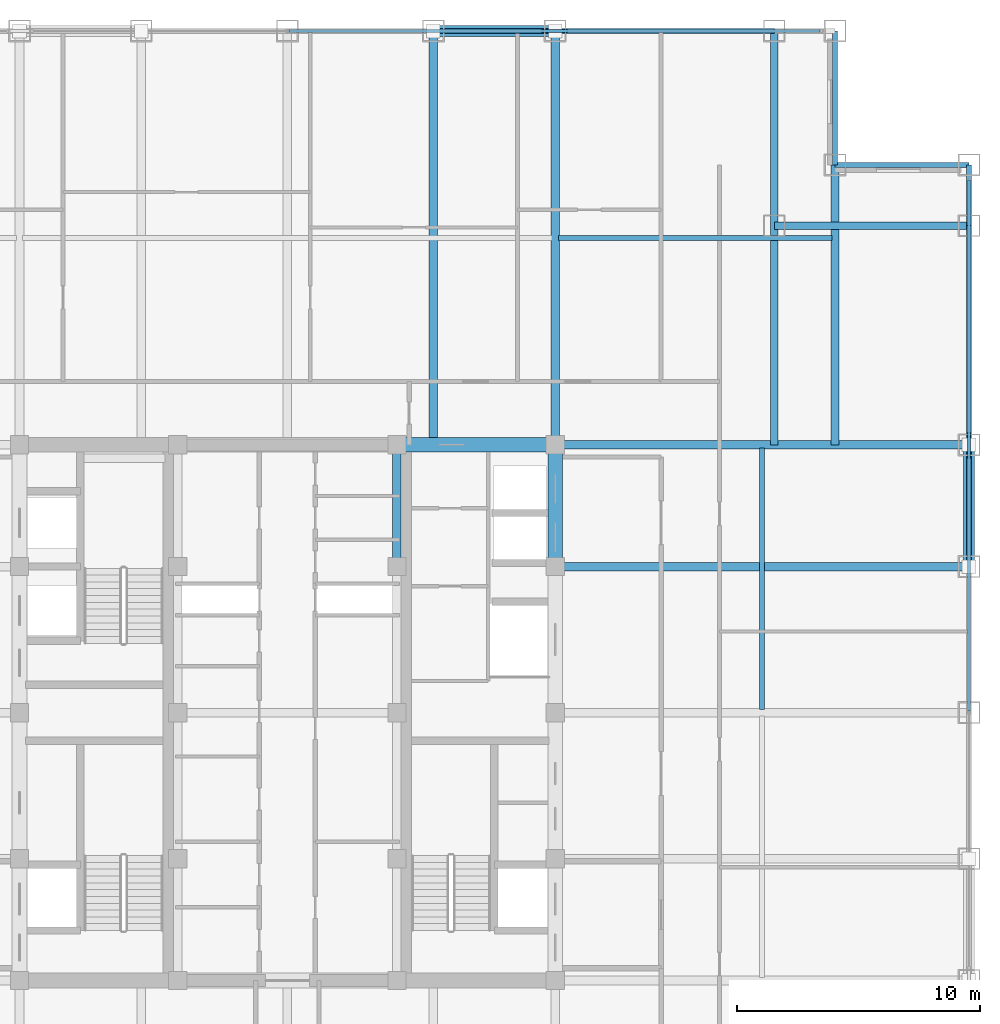
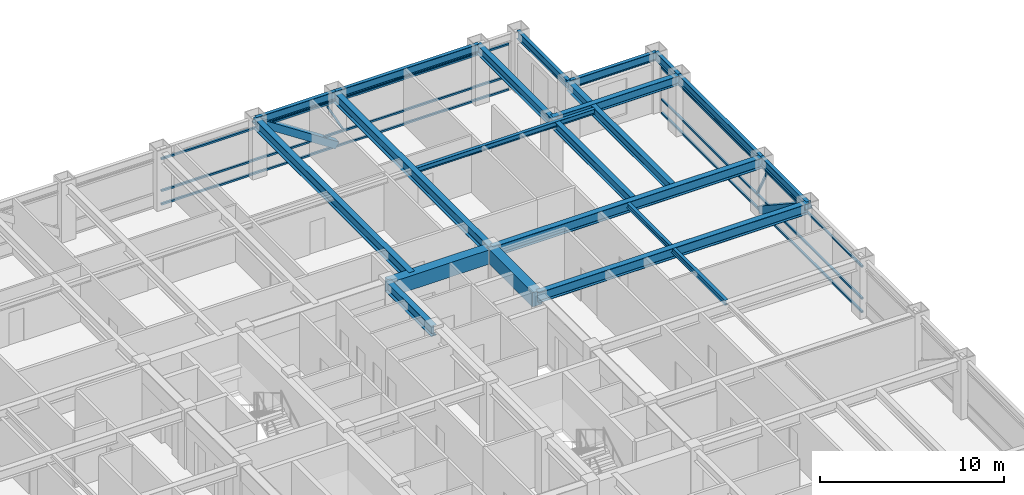
# One storey, part 15 of 22: 19 beams, 10 members, 2 elements without a shape of their own.
"""IFC4 building model written with IfcOpenShell, lengths in metres."""

from ifc_helpers import new_model, si_unit, direction, frame, origin, origin_2d, place, context, subcontext, project, spatial, rectangle, hollow_rectangle, i_section, extrude, source, transform, mapped, material, material_profile, profile_set, type_object, element, aggregate, save


model = new_model("IFC4")

# Units and contexts
model_context = context("Model", 3, precision=1e-05, world=origin(), true_north=direction((0.0, 1.0)))
body_context = subcontext(model_context, "Body", "Model", "MODEL_VIEW")
ifc_project = project(units=[si_unit("LENGTHUNIT", "METRE"), si_unit("AREAUNIT", "SQUARE_METRE"), si_unit("VOLUMEUNIT", "CUBIC_METRE"), si_unit("PLANEANGLEUNIT", "RADIAN"), si_unit("MASSUNIT", "GRAM", prefix="KILO")], contexts=[model_context])

# Site, building, storey
site_placement = place(None, origin())
site = spatial("IfcSite", under=ifc_project, at=site_placement, CompositionType="ELEMENT")
building_placement = place(site_placement, origin())
building = spatial("IfcBuilding", under=site, at=building_placement, Name="Khorayat Bourse Tower", CompositionType="ELEMENT")
storey_placement = place(building_placement, frame((0.0, 0.0, 305.5)))
storey = spatial("IfcBuildingStorey", under=building, at=storey_placement, Name="L72", CompositionType="ELEMENT", Elevation=305.5)

# Beams
ifc_material_1 = material(Name="Steel ASTM A992 Grade 50", Category="steel")
ifc_material_profile_1 = material_profile(ifc_material_1, i_section(OverallWidth=0.35498046875, OverallDepth=0.695068359375, WebThickness=0.015380859375, FlangeThickness=0.02490234375, FilletRadius=0.01806640625, at=origin_2d()), Name="W690X217")
ifc_profile_set_1 = profile_set([ifc_material_profile_1], Name="Steel ASTM A992 Grade 50")
beam_type_1 = type_object("IfcBeamType", Name="BM-GIRD-690", PredefinedType="BEAM", material=ifc_profile_set_1)
shared_shape_1 = source(origin(), body_context, "Body", "SweptSolid", [
    extrude(i_section(OverallWidth=0.35498046875, OverallDepth=0.695068359375, WebThickness=0.015380859375, FlangeThickness=0.02490234375, FilletRadius=0.01806640625, at=origin_2d()), origin(), (0.0, 0.0, 1.0), 5.0),
])
beam_1_placement = place(storey_placement, frame((4.5, 6.0, 3.4326171875), z_axis=(0.0, 1.0, 0.0), x_axis=(-1.0, 0.0, 0.0)))
element("IfcBeam", 1, at=beam_1_placement, inside=storey, type_object=beam_type_1, Name="L72 BM-GIRD-690 BM-L72-CRX-12", PredefinedType="BEAM", context=body_context, shape_type="MappedRepresentation", body=[
    mapped(shared_shape_1, transform((0.0, 0.0, 0.0), scale=1.0)),
])
ifc_material_profile_2 = material_profile(ifc_material_1, i_section(OverallWidth=0.324951171875, OverallDepth=0.615966796875, WebThickness=0.013916015625, FlangeThickness=0.021484375, FilletRadius=0.01611328125, at=origin_2d()), Name="W610X174")
ifc_profile_set_2 = profile_set([ifc_material_profile_2], Name="Steel ASTM A992 Grade 50")
beam_type_2 = type_object("IfcBeamType", Name="BM-GIRD-610", PredefinedType="BEAM", material=ifc_profile_set_2)
shared_shape_2 = source(origin(), body_context, "Body", "SweptSolid", [
    extrude(i_section(OverallWidth=0.324951171875, OverallDepth=0.615966796875, WebThickness=0.013916015625, FlangeThickness=0.021484375, FilletRadius=0.01611328125, at=origin_2d()), origin(), (0.0, 0.0, 1.0), 17.0),
])
beam_2_placement = place(storey_placement, frame((20.0, 11.0, 3.471923828125), z_axis=(0.0, 1.0, 0.0), x_axis=(-1.0, 0.0, 0.0)))
element("IfcBeam", 2, at=beam_2_placement, inside=storey, type_object=beam_type_2, Name="L72 BM-GIRD-610 BM-L72-CNRY-087", PredefinedType="BEAM", context=body_context, shape_type="MappedRepresentation", body=[
    mapped(shared_shape_2, transform((0.0, 0.0, 0.0), scale=1.0)),
])
ifc_material_2 = material(Name="Concrete C60/75", Category="concrete")
ifc_material_profile_3 = material_profile(ifc_material_2, rectangle(XDim=0.60009765625, YDim=0.949951171875, at=origin_2d()), Name="RC 600x950")
ifc_profile_set_3 = profile_set([ifc_material_profile_3], Name="Concrete C60/75")
beam_type_3 = type_object("IfcBeamType", Name="BM-COUP-950", PredefinedType="BEAM", material=ifc_profile_set_3)
shared_shape_3 = source(origin(), body_context, "Body", "SweptSolid", [
    extrude(rectangle(XDim=0.60009765625, YDim=0.949951171875, at=origin_2d()), origin(), (0.0, 0.0, 1.0), 5.0),
])
beam_3_placement = place(storey_placement, frame((11.0, 6.0, 3.304931640625), z_axis=(0.0, 1.0, 0.0), x_axis=(-1.0, 0.0, 0.0)))
element("IfcBeam", 3, at=beam_3_placement, inside=storey, type_object=beam_type_3, Name="L72 BM-COUP-950 BM-L72-CRX-16", PredefinedType="BEAM", context=body_context, shape_type="MappedRepresentation", body=[
    mapped(shared_shape_3, transform((0.0, 0.0, 0.0), scale=1.0)),
])
shared_shape_4 = source(origin(), body_context, "Body", "SweptSolid", [
    extrude(rectangle(XDim=0.60009765625, YDim=0.949951171875, at=origin_2d()), origin(), (0.0, 0.0, 1.0), 6.5),
])
beam_4_placement = place(storey_placement, frame((4.5, 11.0, 3.304931640625), z_axis=(1.0, 0.0, 0.0), x_axis=(0.0, 1.0, 0.0)))
element("IfcBeam", 4, at=beam_4_placement, inside=storey, type_object=beam_type_3, Name="L72 BM-COUP-950 BM-L72-CRY-22", PredefinedType="BEAM", context=body_context, shape_type="MappedRepresentation", body=[
    mapped(shared_shape_4, transform((0.0, 0.0, 0.0), scale=1.0)),
])

# Members
ifc_material_3 = material(Name="Steel EN 10025-4 S460M", Category="steel")
ifc_material_profile_4 = material_profile(ifc_material_3, hollow_rectangle(XDim=0.449951171875, YDim=0.449951171875, WallThickness=0.02490234375, at=origin_2d()), Name="HSS 450x450x25")
ifc_profile_set_4 = profile_set([ifc_material_profile_4], Name="Steel EN 10025-4 S460M")
member_type_1 = type_object("IfcMemberType", Name="MBR-TUBE-450", PredefinedType="BRACE", material=ifc_profile_set_4)
shared_shape_5 = source(origin(), body_context, "Body", "SweptSolid", [
    extrude(hollow_rectangle(XDim=0.449951171875, YDim=0.449951171875, WallThickness=0.02490234375, at=origin_2d()), origin(), (0.0, 0.0, 1.0), 5.979736328125),
])
for number, where, z_axis, x_axis, name in (
    (5, (6.0, 28.0, 3.530029296875), (0.836141536525, 0.0, -0.548513747227), (0.0, 1.0, 0.0), "L72 Perimeter Tube Brace 04"),
    (6, (28.0, 6.0, 3.530029296875), (0.0, 0.836141536525, -0.548513747227), (-1.0, 0.0, 0.0), "L72 Perimeter Tube Brace 08"),
):
    element("IfcMember", number, at=place(storey_placement, frame(where, z_axis=z_axis, x_axis=x_axis)), inside=storey, type_object=member_type_1, Name=name, PredefinedType="BRACE", context=body_context, shape_type="MappedRepresentation", body=[
        mapped(shared_shape_5, transform((0.0, 0.0, 0.0), scale=1.0)),
    ])

# Beams
shared_shape_6 = source(origin(), body_context, "Body", "SweptSolid", [
    extrude(i_section(OverallWidth=0.35498046875, OverallDepth=0.695068359375, WebThickness=0.015380859375, FlangeThickness=0.02490234375, FilletRadius=0.01806640625, at=origin_2d()), origin(), (0.0, 0.0, 1.0), 17.0),
])
for number, where, z_axis, x_axis, name in (
    (7, (6.0, 11.0, 3.4326171875), (0.0, 1.0, 0.0), (-1.0, 0.0, 0.0), "L72 BM-GIRD-690 BM-L72-RADY-070"),
    (8, (11.0, 11.0, 3.4326171875), (0.0, 1.0, 0.0), (-1.0, 0.0, 0.0), "L72 BM-GIRD-690 BM-L72-RADY-072"),
    (9, (11.0, 6.0, 3.4326171875), (1.0, 0.0, 0.0), (0.0, 1.0, 0.0), "L72 BM-GIRD-690 BM-L72-RADX-080"),
    (10, (11.0, 11.0, 3.4326171875), (1.0, 0.0, 0.0), (0.0, 1.0, 0.0), "L72 BM-GIRD-690 BM-L72-RADX-082"),
):
    element("IfcBeam", number, at=place(storey_placement, frame(where, z_axis=z_axis, x_axis=x_axis)), inside=storey, type_object=beam_type_1, Name=name, PredefinedType="BEAM", context=body_context, shape_type="MappedRepresentation", body=[
        mapped(shared_shape_6, transform((0.0, 0.0, 0.0), scale=1.0)),
    ])
shared_shape_7 = source(origin(), body_context, "Body", "SweptSolid", [
    extrude(i_section(OverallWidth=0.324951171875, OverallDepth=0.615966796875, WebThickness=0.013916015625, FlangeThickness=0.021484375, FilletRadius=0.01611328125, at=origin_2d()), origin(), (0.0, 0.0, 1.0), 11.5),
])
beam_5_placement = place(storey_placement, frame((22.5, 11.0, 3.471923828125), z_axis=(0.0, 1.0, 0.0), x_axis=(-1.0, 0.0, 0.0)))
element("IfcBeam", 11, at=beam_5_placement, inside=storey, type_object=beam_type_2, Name="L72 BM-GIRD-610 BM-L72-CNRY-091", PredefinedType="BEAM", context=body_context, shape_type="MappedRepresentation", body=[
    mapped(shared_shape_7, transform((0.0, 0.0, 0.0), scale=1.0)),
])
shared_shape_8 = source(origin(), body_context, "Body", "SweptSolid", [
    extrude(i_section(OverallWidth=0.324951171875, OverallDepth=0.615966796875, WebThickness=0.013916015625, FlangeThickness=0.021484375, FilletRadius=0.01611328125, at=origin_2d()), origin(), (0.0, 0.0, 1.0), 8.0),
])
beam_6_placement = place(storey_placement, frame((20.0, 20.0, 3.471923828125), z_axis=(1.0, 0.0, 0.0), x_axis=(0.0, 1.0, 0.0)))
element("IfcBeam", 12, at=beam_6_placement, inside=storey, type_object=beam_type_2, Name="L72 BM-GIRD-610 BM-L72-CNRX-094", PredefinedType="BEAM", context=body_context, shape_type="MappedRepresentation", body=[
    mapped(shared_shape_8, transform((0.0, 0.0, 0.0), scale=1.0)),
])
ifc_material_profile_5 = material_profile(ifc_material_1, i_section(OverallWidth=0.202880859375, OverallDepth=0.346923828125, WebThickness=0.0078125, FlangeThickness=0.013427734375, FilletRadius=0.010009765625, at=origin_2d()), Name="W360X64")
ifc_profile_set_5 = profile_set([ifc_material_profile_5], Name="Steel ASTM A992 Grade 50")
beam_type_4 = type_object("IfcBeamType", Name="BM-JOIST-360", PredefinedType="JOIST", material=ifc_profile_set_5)
shared_shape_9 = source(origin(), body_context, "Body", "SweptSolid", [
    extrude(i_section(OverallWidth=0.202880859375, OverallDepth=0.346923828125, WebThickness=0.0078125, FlangeThickness=0.013427734375, FilletRadius=0.010009765625, at=origin_2d()), origin(), (0.0, 0.0, 1.0), 11.240234375),
])
beam_7_placement = place(storey_placement, frame((11.1298828125, 19.5, 3.6064453125), z_axis=(1.0, 0.0, 0.0), x_axis=(0.0, 1.0, 0.0)))
element("IfcBeam", 13, at=beam_7_placement, inside=storey, type_object=beam_type_4, Name="L72 BM-JOIST-360 BM-L72-JSTX-101", PredefinedType="JOIST", context=body_context, shape_type="MappedRepresentation", body=[
    mapped(shared_shape_9, transform((0.0, 0.0, 0.0), scale=1.0)),
])
shared_shape_10 = source(origin(), body_context, "Body", "SweptSolid", [
    extrude(i_section(OverallWidth=0.202880859375, OverallDepth=0.346923828125, WebThickness=0.0078125, FlangeThickness=0.013427734375, FilletRadius=0.010009765625, at=origin_2d()), origin(), (0.0, 0.0, 1.0), 10.740234375),
])
beam_8_placement = place(storey_placement, frame((19.5, 0.1298828125, 3.6064453125), z_axis=(0.0, 1.0, 0.0), x_axis=(-1.0, 0.0, 0.0)))
element("IfcBeam", 14, at=beam_8_placement, inside=storey, type_object=beam_type_4, Name="L72 BM-JOIST-360 BM-L72-JSTY-105", PredefinedType="JOIST", context=body_context, shape_type="MappedRepresentation", body=[
    mapped(shared_shape_10, transform((0.0, 0.0, 0.0), scale=1.0)),
])
ifc_material_profile_6 = material_profile(ifc_material_1, i_section(OverallWidth=0.214111328125, OverallDepth=0.549072265625, WebThickness=0.0146484375, FlangeThickness=0.023681640625, FilletRadius=0.013916015625, at=origin_2d()), Name="W530X138")
ifc_profile_set_6 = profile_set([ifc_material_profile_6], Name="Steel ASTM A992 Grade 50")
beam_type_5 = type_object("IfcBeamType", Name="BM-SPAN-530", PredefinedType="SPANDREL", material=ifc_profile_set_6)
shared_shape_11 = source(origin(), body_context, "Body", "SweptSolid", [
    extrude(i_section(OverallWidth=0.214111328125, OverallDepth=0.549072265625, WebThickness=0.0146484375, FlangeThickness=0.023681640625, FilletRadius=0.013916015625, at=origin_2d()), origin(), (0.0, 0.0, 1.0), 2.5),
])
beam_9_placement = place(storey_placement, frame((28.0, 20.0, 3.505615234375), z_axis=(0.0, 1.0, 0.0), x_axis=(-1.0, 0.0, 0.0)))
element("IfcBeam", 15, at=beam_9_placement, inside=storey, type_object=beam_type_5, Name="L72 BM-SPAN-530 BM-L72-SPN-041", PredefinedType="SPANDREL", context=body_context, shape_type="MappedRepresentation", body=[
    mapped(shared_shape_11, transform((0.0, 0.0, 0.0), scale=1.0)),
])
shared_shape_12 = source(origin(), body_context, "Body", "SweptSolid", [
    extrude(i_section(OverallWidth=0.214111328125, OverallDepth=0.549072265625, WebThickness=0.0146484375, FlangeThickness=0.023681640625, FilletRadius=0.013916015625, at=origin_2d()), origin(), (0.0, 0.0, 1.0), 9.0),
])
for number, where, z_axis, x_axis, name in (
    (16, (28.0, 11.0, 3.505615234375), (0.0, 1.0, 0.0), (-1.0, 0.0, 0.0), "L72 BM-SPAN-530 BM-L72-SPN-040"),
    (17, (11.0, 28.0, 3.505615234375), (1.0, 0.0, 0.0), (0.0, 1.0, 0.0), "L72 BM-SPAN-530 BM-L72-SPN-045"),
):
    element("IfcBeam", number, at=place(storey_placement, frame(where, z_axis=z_axis, x_axis=x_axis)), inside=storey, type_object=beam_type_5, Name=name, PredefinedType="SPANDREL", context=body_context, shape_type="MappedRepresentation", body=[
        mapped(shared_shape_12, transform((0.0, 0.0, 0.0), scale=1.0)),
    ])
shared_shape_13 = source(origin(), body_context, "Body", "SweptSolid", [
    extrude(i_section(OverallWidth=0.214111328125, OverallDepth=0.549072265625, WebThickness=0.0146484375, FlangeThickness=0.023681640625, FilletRadius=0.013916015625, at=origin_2d()), origin(), (0.0, 0.0, 1.0), 5.0),
])
for number, where, z_axis, x_axis, name in (
    (18, (28.0, 6.0, 3.505615234375), (0.0, 1.0, 0.0), (-1.0, 0.0, 0.0), "L72 BM-SPAN-530 BM-L72-SPN-039"),
    (19, (6.0, 28.0, 3.505615234375), (1.0, 0.0, 0.0), (0.0, 1.0, 0.0), "L72 BM-SPAN-530 BM-L72-SPN-046"),
):
    element("IfcBeam", number, at=place(storey_placement, frame(where, z_axis=z_axis, x_axis=x_axis)), inside=storey, type_object=beam_type_5, Name=name, PredefinedType="SPANDREL", context=body_context, shape_type="MappedRepresentation", body=[
        mapped(shared_shape_13, transform((0.0, 0.0, 0.0), scale=1.0)),
    ])
shared_shape_14 = source(origin(), body_context, "Body", "SweptSolid", [
    extrude(i_section(OverallWidth=0.214111328125, OverallDepth=0.549072265625, WebThickness=0.0146484375, FlangeThickness=0.023681640625, FilletRadius=0.013916015625, at=origin_2d()), origin(), (0.0, 0.0, 1.0), 5.5),
])
for number, where, z_axis, x_axis, name in (
    (20, (22.5, 22.5, 3.505615234375), (1.0, 0.0, 0.0), (0.0, 1.0, 0.0), "L72 BM-SPAN-530 BM-L72-SPN-042"),
    (21, (22.5, 22.5, 3.505615234375), (0.0, 1.0, 0.0), (-1.0, 0.0, 0.0), "L72 BM-SPAN-530 BM-L72-SPN-043"),
):
    element("IfcBeam", number, at=place(storey_placement, frame(where, z_axis=z_axis, x_axis=x_axis)), inside=storey, type_object=beam_type_5, Name=name, PredefinedType="SPANDREL", context=body_context, shape_type="MappedRepresentation", body=[
        mapped(shared_shape_14, transform((0.0, 0.0, 0.0), scale=1.0)),
    ])

# Curtain wall, member
ifc_material_4 = material(Name="Aluminium EN AW-6063 T6", Category="aluminium")
curtain_wall_type = type_object("IfcCurtainWallType", Name="CW-SYS-04", PredefinedType="NOTDEFINED", material=ifc_material_4)
curtain_wall_1_placement = place(storey_placement, origin())
curtain_wall_1 = element("IfcCurtainWall", 22, at=curtain_wall_1_placement, inside=storey, type_object=curtain_wall_type, Name="L72 Curtain Wall CW-L72-N1", PredefinedType="NOTDEFINED")
ifc_material_profile_7 = material_profile(ifc_material_4, hollow_rectangle(XDim=0.1201171875, YDim=0.1201171875, WallThickness=0.0048828125, at=origin_2d()), Name="ALU 120x120x5")
ifc_profile_set_7 = profile_set([ifc_material_profile_7], Name="Aluminium EN AW-6063 T6")
member_type_2 = type_object("IfcMemberType", Name="CWM-DIAG-120", PredefinedType="MULLION", material=ifc_profile_set_7)
shared_shape_15 = source(origin(), body_context, "Body", "SweptSolid", [
    extrude(hollow_rectangle(XDim=0.1201171875, YDim=0.1201171875, WallThickness=0.0048828125, at=origin_2d()), origin(), (0.0, 0.0, 1.0), 2.0791015625),
])
member_1_placement = place(storey_placement, frame((11.4541015625, 28.0, 1.090087890625), z_axis=(-0.465717394116, 0.0, 0.884933505309), x_axis=(0.0, -1.0, 0.0)))
member_1 = element("IfcMember", 23, at=member_1_placement, type_object=member_type_2, Name="CW-L72-N1 Faceted Diagonal Mullion 2", PredefinedType="MULLION", context=body_context, shape_type="MappedRepresentation", body=[
    mapped(shared_shape_15, transform((0.0, 0.0, 0.0), scale=1.0)),
])

curtain_wall_2_placement = place(storey_placement, origin())
curtain_wall_2 = element("IfcCurtainWall", 24, at=curtain_wall_2_placement, inside=storey, type_object=curtain_wall_type, Name="L72 Curtain Wall CW-L72-E1", PredefinedType="NOTDEFINED")
member_2_placement = place(storey_placement, frame((28.0, 11.4541015625, 1.090087890625), z_axis=(0.0, -0.465717394116, 0.884933505309), x_axis=(1.0, 0.0, 0.0)))
member_2 = element("IfcMember", 25, at=member_2_placement, type_object=member_type_2, Name="CW-L72-E1 Faceted Diagonal Mullion 2", PredefinedType="MULLION", context=body_context, shape_type="MappedRepresentation", body=[
    mapped(shared_shape_15, transform((0.0, 0.0, 0.0), scale=1.0)),
])

# Member
ifc_material_profile_8 = material_profile(ifc_material_4, hollow_rectangle(XDim=0.1201171875, YDim=0.1201171875, WallThickness=0.0048828125, at=origin_2d()), Name="ALU 120x120x5")
ifc_profile_set_8 = profile_set([ifc_material_profile_8], Name="Aluminium EN AW-6063 T6")
member_type_3 = type_object("IfcMemberType", Name="CWT-HORZ-120", PredefinedType="USERDEFINED", material=ifc_profile_set_8)
shared_shape_16 = source(origin(), body_context, "Body", "SweptSolid", [
    extrude(hollow_rectangle(XDim=0.1201171875, YDim=0.1201171875, WallThickness=0.0048828125, at=origin_2d()), origin(), (0.0, 0.0, 1.0), 21.81982421875),
])
member_3_placement = place(storey_placement, frame((0.06005859375, 28.0, 0.06005859375), z_axis=(1.0, 0.0, 0.0), x_axis=(0.0, 1.0, 0.0)))
member_3 = element("IfcMember", 26, at=member_3_placement, type_object=member_type_3, Name="CW-L72-N1 Horizontal Transom 2-1", ObjectType="TRANSOM", PredefinedType="USERDEFINED", context=body_context, shape_type="MappedRepresentation", body=[
    mapped(shared_shape_16, transform((0.0, 0.0, 0.0), scale=1.0)),
])

member_4_placement = place(storey_placement, frame((0.06005859375, 28.0, 0.949951171875), z_axis=(1.0, 0.0, 0.0), x_axis=(0.0, 1.0, 0.0)))
member_4 = element("IfcMember", 27, at=member_4_placement, type_object=member_type_3, Name="CW-L72-N1 Horizontal Transom 2-2", ObjectType="TRANSOM", PredefinedType="USERDEFINED", context=body_context, shape_type="MappedRepresentation", body=[
    mapped(shared_shape_16, transform((0.0, 0.0, 0.0), scale=1.0)),
])

member_5_placement = place(storey_placement, frame((0.06005859375, 28.0, 3.070068359375), z_axis=(1.0, 0.0, 0.0), x_axis=(0.0, 1.0, 0.0)))
member_5 = element("IfcMember", 28, at=member_5_placement, type_object=member_type_3, Name="CW-L72-N1 Horizontal Transom 2-3", ObjectType="TRANSOM", PredefinedType="USERDEFINED", context=body_context, shape_type="MappedRepresentation", body=[
    mapped(shared_shape_16, transform((0.0, 0.0, 0.0), scale=1.0)),
])

aggregate(curtain_wall_1, [member_3, member_4, member_5, member_1])

member_6_placement = place(storey_placement, frame((28.0, 0.06005859375, 0.06005859375), z_axis=(0.0, 1.0, 0.0), x_axis=(-1.0, 0.0, 0.0)))
member_6 = element("IfcMember", 29, at=member_6_placement, type_object=member_type_3, Name="CW-L72-E1 Horizontal Transom 2-1", ObjectType="TRANSOM", PredefinedType="USERDEFINED", context=body_context, shape_type="MappedRepresentation", body=[
    mapped(shared_shape_16, transform((0.0, 0.0, 0.0), scale=1.0)),
])

member_7_placement = place(storey_placement, frame((28.0, 0.06005859375, 0.949951171875), z_axis=(0.0, 1.0, 0.0), x_axis=(-1.0, 0.0, 0.0)))
member_7 = element("IfcMember", 30, at=member_7_placement, type_object=member_type_3, Name="CW-L72-E1 Horizontal Transom 2-2", ObjectType="TRANSOM", PredefinedType="USERDEFINED", context=body_context, shape_type="MappedRepresentation", body=[
    mapped(shared_shape_16, transform((0.0, 0.0, 0.0), scale=1.0)),
])

member_8_placement = place(storey_placement, frame((28.0, 0.06005859375, 3.070068359375), z_axis=(0.0, 1.0, 0.0), x_axis=(-1.0, 0.0, 0.0)))
member_8 = element("IfcMember", 31, at=member_8_placement, type_object=member_type_3, Name="CW-L72-E1 Horizontal Transom 2-3", ObjectType="TRANSOM", PredefinedType="USERDEFINED", context=body_context, shape_type="MappedRepresentation", body=[
    mapped(shared_shape_16, transform((0.0, 0.0, 0.0), scale=1.0)),
])

aggregate(curtain_wall_2, [member_6, member_7, member_8, member_2])

save(model, "model.ifc")
